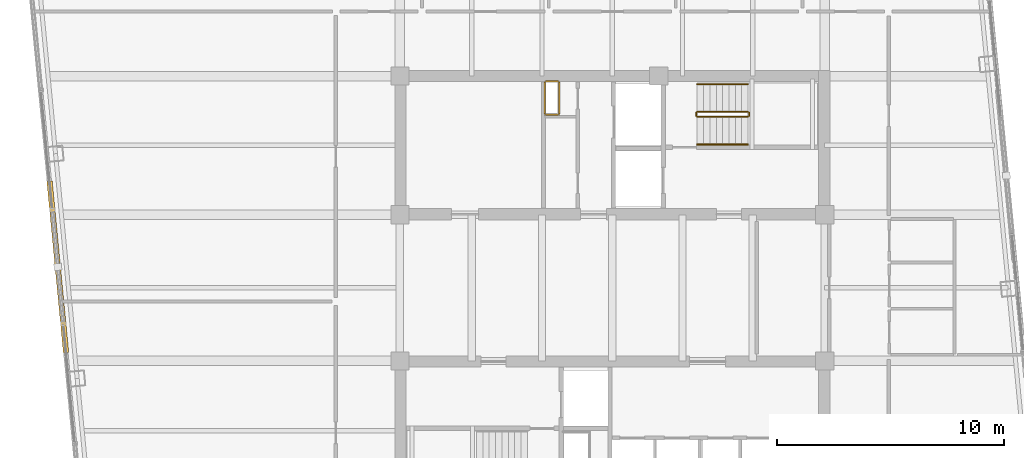
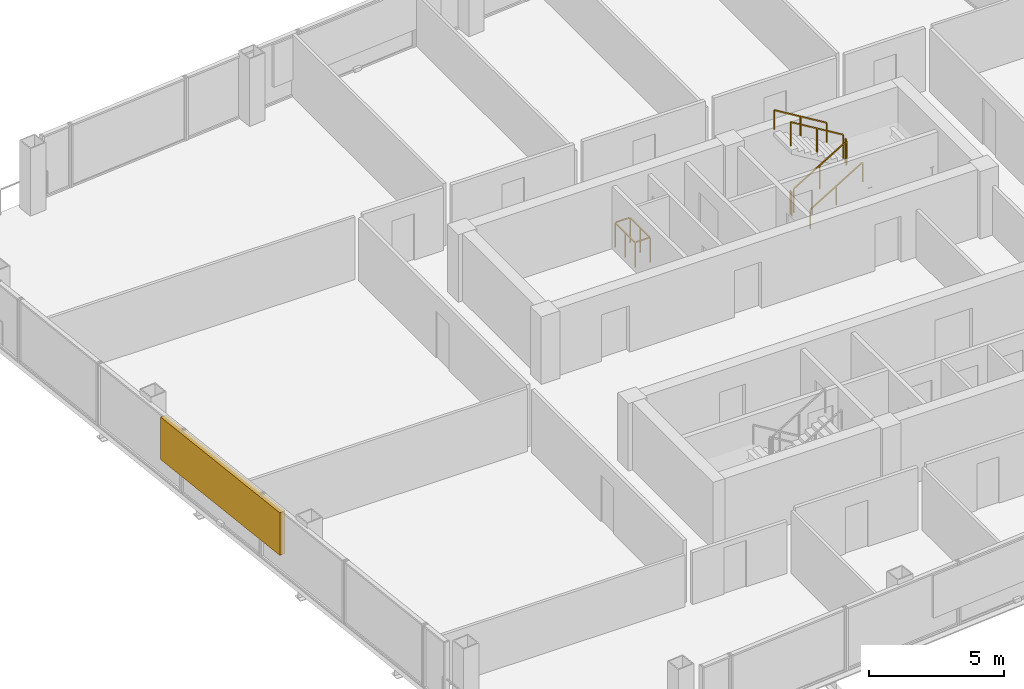
# One storey, part 21 of 22: 7 railings, 1 shading device.
"""IFC4 building model written with IfcOpenShell, lengths in metres."""

from ifc_helpers import new_model, si_unit, direction, frame, origin, origin_2d, place, context, subcontext, project, spatial, rectangle, extrude, material, type_object, element, save


model = new_model("IFC4")

# Units and contexts
model_context = context("Model", 3, precision=1e-05, world=origin(), true_north=direction((0.0, 1.0)))
body_context = subcontext(model_context, "Body", "Model", "MODEL_VIEW")
ifc_project = project(units=[si_unit("LENGTHUNIT", "METRE"), si_unit("AREAUNIT", "SQUARE_METRE"), si_unit("VOLUMEUNIT", "CUBIC_METRE"), si_unit("PLANEANGLEUNIT", "RADIAN"), si_unit("MASSUNIT", "GRAM", prefix="KILO")], contexts=[model_context])

# Site, building, storey
site_placement = place(None, origin())
site = spatial("IfcSite", under=ifc_project, at=site_placement, CompositionType="ELEMENT")
building_placement = place(site_placement, origin())
building = spatial("IfcBuilding", under=site, at=building_placement, Name="Qhalaya Broadcast Tower", CompositionType="ELEMENT")
storey_placement = place(building_placement, frame((0.0, 0.0, 165.300048828125)))
storey = spatial("IfcBuildingStorey", under=building, at=storey_placement, Name="L48", CompositionType="ELEMENT", Elevation=165.300048828125)

# Railings
ifc_material_1 = material(Name="Powder-Coated Galvanised Steel", Category="steel")
railing_type_1 = type_object("IfcRailingType", Name="Stair Wall Handrail 900", PredefinedType="HANDRAIL", material=ifc_material_1)
railing_1_placement = place(storey_placement, frame((3.75, 6.929931640625, 0.16943359375)))
element("IfcRailing", 1, at=railing_1_placement, inside=storey, type_object=railing_type_1, Name="L48 ST-1 Stair Handrail 1", PredefinedType="HANDRAIL", context=body_context, shape_type="SweptSolid", body=[
    extrude(rectangle(XDim=0.048095703125, YDim=0.048095703125, at=origin_2d()), frame((0.0, 0.0, 0.8759765625), z_axis=(0.855553338991, 0.0, 0.51771467445), x_axis=(0.0, 1.0, 0.0)), (0.0, 0.0, 1.0), 2.6181640625),
    extrude(rectangle(XDim=0.0419921875, YDim=0.0419921875, at=origin_2d()), origin(), (0.0, 0.0, 1.0), 0.849853515625),
    extrude(rectangle(XDim=0.0419921875, YDim=0.0419921875, at=origin_2d()), frame((1.1201171875, 0.0, 0.677734375)), (0.0, 0.0, 1.0), 0.849853515625),
    extrude(rectangle(XDim=0.0419921875, YDim=0.0419921875, at=origin_2d()), frame((2.239990234375, 0.0, 1.35546875)), (0.0, 0.0, 1.0), 0.849853515625),
])
railing_2_placement = place(storey_placement, frame((5.989990234375, 9.590087890625, 1.6943359375)))
element("IfcRailing", 2, at=railing_2_placement, inside=storey, type_object=railing_type_1, Name="L48 ST-1 Stair Handrail 2", PredefinedType="HANDRAIL", context=body_context, shape_type="SweptSolid", body=[
    extrude(rectangle(XDim=0.048095703125, YDim=0.048095703125, at=origin_2d()), frame((0.0, 0.0, 0.8759765625), z_axis=(-0.855512035549, 0.0, 0.517782924622), x_axis=(0.0, -1.0, 0.0)), (0.0, 0.0, 1.0), 2.618408203125),
    extrude(rectangle(XDim=0.0419921875, YDim=0.0419921875, at=origin_2d()), origin(), (0.0, 0.0, 1.0), 0.849853515625),
    extrude(rectangle(XDim=0.0419921875, YDim=0.0419921875, at=origin_2d()), frame((-1.1201171875, 0.0, 0.677734375)), (0.0, 0.0, 1.0), 0.849853515625),
    extrude(rectangle(XDim=0.0419921875, YDim=0.0419921875, at=origin_2d()), frame((-2.239990234375, 0.0, 1.355712890625)), (0.0, 0.0, 1.0), 0.849853515625),
])
railing_type_2 = type_object("IfcRailingType", Name="Stair Well & Landing Guardrail 1100", PredefinedType="GUARDRAIL", material=ifc_material_1)
railing_3_placement = place(storey_placement, frame((-2.340087890625, 8.239990234375, 0.0)))
element("IfcRailing", 3, at=railing_3_placement, inside=storey, type_object=railing_type_2, Name="L48 Service Riser Opening Safety Guard NRSR", PredefinedType="GUARDRAIL", context=body_context, shape_type="SweptSolid", body=[
    extrude(rectangle(XDim=0.048095703125, YDim=0.048095703125, at=origin_2d()), frame((0.0, 0.02880859375, 1.1259765625), z_axis=(0.0, 1.0, 0.0), x_axis=(-1.0, 0.0, 0.0)), (0.0, 0.0, 1.0), 1.42236328125),
    extrude(rectangle(XDim=0.048095703125, YDim=0.048095703125, at=origin_2d()), frame((-0.02880859375, 1.47998046875, 1.1259765625), z_axis=(-1.0, 0.0, 0.0), x_axis=(0.0, -1.0, 0.0)), (0.0, 0.0, 1.0), 0.582275390625),
    extrude(rectangle(XDim=0.048095703125, YDim=0.048095703125, at=origin_2d()), frame((-0.639892578125, 1.451171875, 1.1259765625), z_axis=(0.0, -1.0, 0.0), x_axis=(1.0, 0.0, 0.0)), (0.0, 0.0, 1.0), 1.42236328125),
    extrude(rectangle(XDim=0.048095703125, YDim=0.048095703125, at=origin_2d()), frame((-0.611083984375, 0.0, 1.1259765625), z_axis=(1.0, 0.0, 0.0), x_axis=(0.0, 1.0, 0.0)), (0.0, 0.0, 1.0), 0.582275390625),
    extrude(rectangle(XDim=0.0419921875, YDim=0.0419921875, at=origin_2d()), origin(), (0.0, 0.0, 1.0), 1.099853515625),
    extrude(rectangle(XDim=0.0419921875, YDim=0.0419921875, at=origin_2d()), frame((0.0, 0.739990234375, 0.0)), (0.0, 0.0, 1.0), 1.099853515625),
    extrude(rectangle(XDim=0.0419921875, YDim=0.0419921875, at=origin_2d()), frame((0.0, 1.47998046875, 0.0)), (0.0, 0.0, 1.0), 1.099853515625),
    extrude(rectangle(XDim=0.0419921875, YDim=0.0419921875, at=origin_2d()), frame((-0.639892578125, 1.47998046875, 0.0)), (0.0, 0.0, 1.0), 1.099853515625),
    extrude(rectangle(XDim=0.0419921875, YDim=0.0419921875, at=origin_2d()), frame((-0.639892578125, 0.739990234375, 0.0)), (0.0, 0.0, 1.0), 1.099853515625),
    extrude(rectangle(XDim=0.0419921875, YDim=0.0419921875, at=origin_2d()), frame((-0.639892578125, 0.0, 0.0)), (0.0, 0.0, 1.0), 1.099853515625),
])
railing_4_placement = place(storey_placement, frame((3.75, 8.14990234375, 0.16943359375)))
element("IfcRailing", 4, at=railing_4_placement, inside=storey, type_object=railing_type_2, Name="L48 ST-1 Stair Guard 1", PredefinedType="GUARDRAIL", context=body_context, shape_type="SweptSolid", body=[
    extrude(rectangle(XDim=0.048095703125, YDim=0.048095703125, at=origin_2d()), frame((0.0, 0.0, 1.076171875), z_axis=(0.855553338991, 0.0, 0.51771467445), x_axis=(0.0, 1.0, 0.0)), (0.0, 0.0, 1.0), 2.6181640625),
    extrude(rectangle(XDim=0.0419921875, YDim=0.0419921875, at=origin_2d()), origin(), (0.0, 0.0, 1.0), 1.050048828125),
    extrude(rectangle(XDim=0.0419921875, YDim=0.0419921875, at=origin_2d()), frame((1.1201171875, 0.0, 0.677734375)), (0.0, 0.0, 1.0), 1.050048828125),
    extrude(rectangle(XDim=0.0419921875, YDim=0.0419921875, at=origin_2d()), frame((2.239990234375, 0.0, 1.35546875)), (0.0, 0.0, 1.0), 1.050048828125),
])
railing_5_placement = place(storey_placement, frame((6.0400390625, 8.199951171875, 1.52490234375)))
element("IfcRailing", 5, at=railing_5_placement, inside=storey, type_object=railing_type_2, Name="L48 ST-1 Stair Guard 2", PredefinedType="GUARDRAIL", context=body_context, shape_type="SweptSolid", body=[
    extrude(rectangle(XDim=0.048095703125, YDim=0.048095703125, at=origin_2d()), frame((0.0, 0.0, 1.076171875), z_axis=(0.0, 1.0, 0.0), x_axis=(-1.0, 0.0, 0.0)), (0.0, 0.0, 1.0), 0.1201171875),
    extrude(rectangle(XDim=0.0419921875, YDim=0.0419921875, at=origin_2d()), origin(), (0.0, 0.0, 1.0), 1.050048828125),
    extrude(rectangle(XDim=0.0419921875, YDim=0.0419921875, at=origin_2d()), frame((0.0, 0.1201171875, 0.0)), (0.0, 0.0, 1.0), 1.050048828125),
])
railing_6_placement = place(storey_placement, frame((5.989990234375, 8.3701171875, 1.6943359375)))
element("IfcRailing", 6, at=railing_6_placement, inside=storey, type_object=railing_type_2, Name="L48 ST-1 Stair Guard 3", PredefinedType="GUARDRAIL", context=body_context, shape_type="SweptSolid", body=[
    extrude(rectangle(XDim=0.048095703125, YDim=0.048095703125, at=origin_2d()), frame((0.0, 0.0, 1.076171875), z_axis=(-0.855512035549, 0.0, 0.517782924622), x_axis=(0.0, -1.0, 0.0)), (0.0, 0.0, 1.0), 2.618408203125),
    extrude(rectangle(XDim=0.0419921875, YDim=0.0419921875, at=origin_2d()), origin(), (0.0, 0.0, 1.0), 1.050048828125),
    extrude(rectangle(XDim=0.0419921875, YDim=0.0419921875, at=origin_2d()), frame((-1.1201171875, 0.0, 0.677734375)), (0.0, 0.0, 1.0), 1.050048828125),
    extrude(rectangle(XDim=0.0419921875, YDim=0.0419921875, at=origin_2d()), frame((-2.239990234375, 0.0, 1.355712890625)), (0.0, 0.0, 1.0), 1.050048828125),
])
railing_7_placement = place(storey_placement, frame((3.699951171875, 8.199951171875, 0.0)))
element("IfcRailing", 7, at=railing_7_placement, inside=storey, type_object=railing_type_2, Name="L48 ST-1 Stair Guard 4", PredefinedType="GUARDRAIL", context=body_context, shape_type="SweptSolid", body=[
    extrude(rectangle(XDim=0.048095703125, YDim=0.048095703125, at=origin_2d()), frame((0.0, 0.0, 1.076171875), z_axis=(0.0, 1.0, 0.0), x_axis=(-1.0, 0.0, 0.0)), (0.0, 0.0, 1.0), 0.1201171875),
    extrude(rectangle(XDim=0.0419921875, YDim=0.0419921875, at=origin_2d()), origin(), (0.0, 0.0, 1.0), 1.050048828125),
    extrude(rectangle(XDim=0.0419921875, YDim=0.0419921875, at=origin_2d()), frame((0.0, 0.1201171875, 0.0)), (0.0, 0.0, 1.0), 1.050048828125),
])

# Shading device
ifc_material_2 = material(Name="Fired Architectural Terracotta", Category="masonry")
shading_device_type = type_object("IfcShadingDeviceType", Name="Terracotta Baguette Solar Screen Assembly TBS-01", PredefinedType="USERDEFINED", material=ifc_material_2)
shading_device_placement = place(storey_placement, frame((-24.47314453125, 1.5244140625, 0.79248046875), z_axis=(0.0, 0.0, 1.0), x_axis=(0.09584575252, -0.995396198367, 0.0)))
element("IfcShadingDevice", 8, at=shading_device_placement, inside=storey, type_object=shading_device_type, Name="L48 Fired Terracotta Baguette Screen W", ObjectType="BAGUETTE", PredefinedType="USERDEFINED", context=body_context, shape_type="SweptSolid", body=[
    extrude(rectangle(XDim=7.60009765625, YDim=0.239990234375, at=origin_2d()), origin(), (0.0, 0.0, 1.0), 1.924072265625),
])

save(model, "model.ifc")
